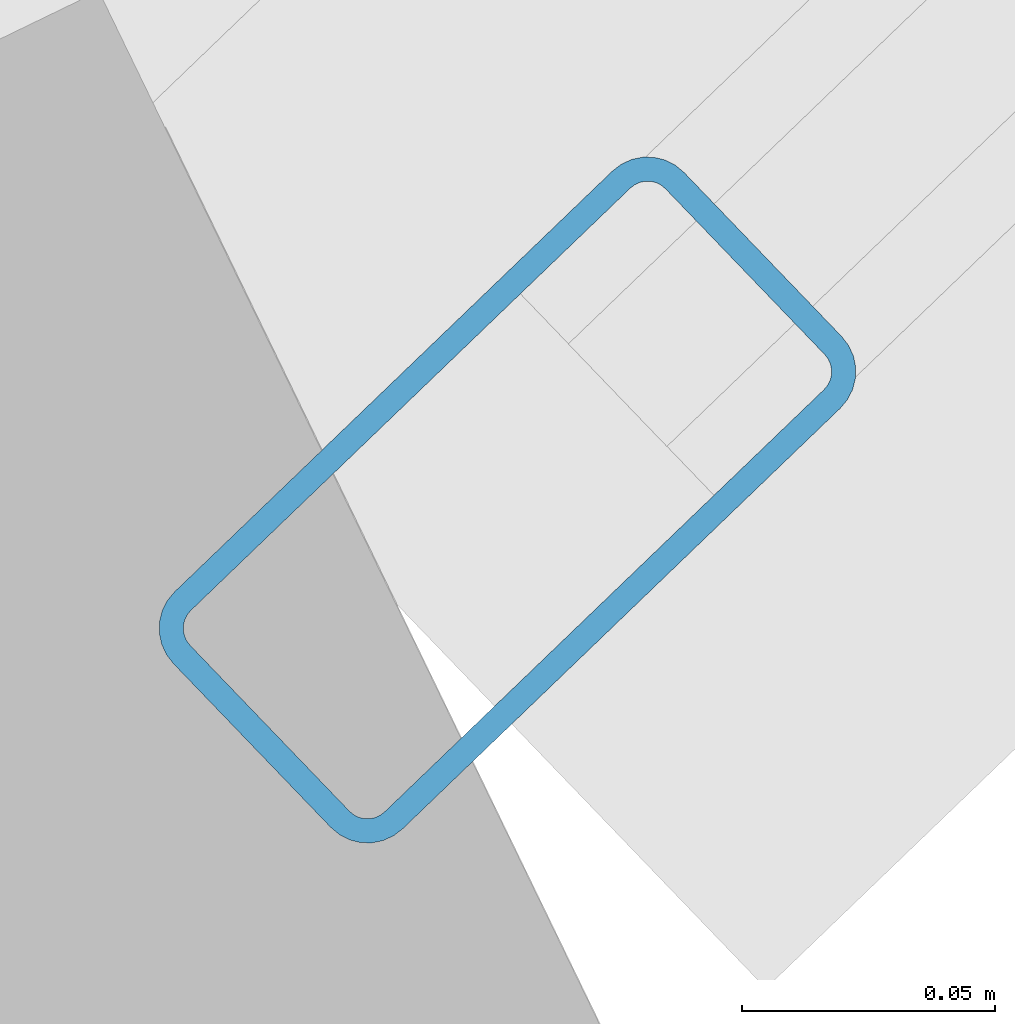
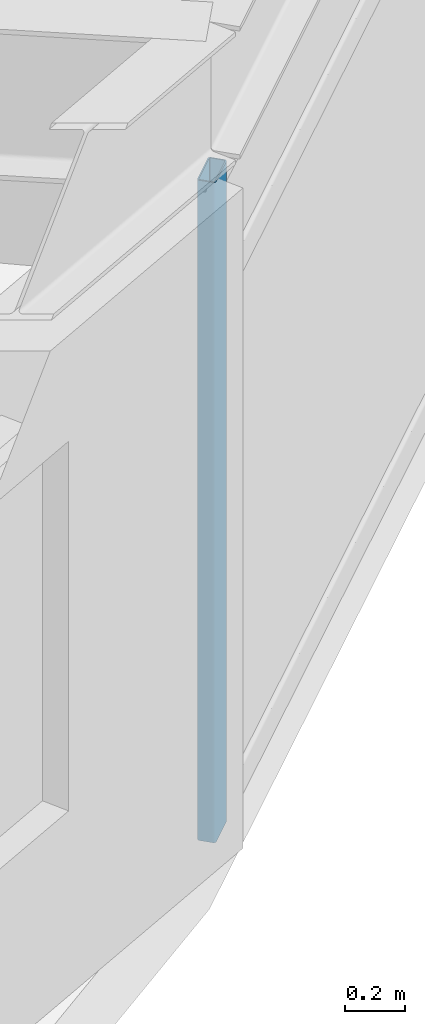
# One storey, part 6 of 26: 1 member, 1 element without a shape of its own.
"""IFC4 building model written with IfcOpenShell, lengths in metres."""

from ifc_helpers import new_model, si_unit, direction, frame, origin, origin_2d, place, context, subcontext, project, spatial, hollow_rectangle, extrude, material, layer, layer_set, material_profile, profile_set, type_object, element, aggregate, save


model = new_model("IFC4")

# Units and contexts
model_context = context("Model", 3, precision=1e-05, world=origin(), true_north=direction((0.0, 1.0)))
body_context = subcontext(model_context, "Body", "Model", "MODEL_VIEW")
ifc_project = project(units=[si_unit("LENGTHUNIT", "METRE"), si_unit("AREAUNIT", "SQUARE_METRE"), si_unit("VOLUMEUNIT", "CUBIC_METRE"), si_unit("PLANEANGLEUNIT", "RADIAN"), si_unit("MASSUNIT", "GRAM", prefix="KILO")], contexts=[model_context])

# Site, building, storey
site_placement = place(None, origin())
site = spatial("IfcSite", under=ifc_project, at=site_placement, CompositionType="ELEMENT")
building_placement = place(site_placement, origin())
building = spatial("IfcBuilding", under=site, at=building_placement, Name="Soratama Intermodal Tower", CompositionType="ELEMENT")
storey_placement = place(building_placement, frame((0.0, 0.0, 194.199951171875)))
storey = spatial("IfcBuildingStorey", under=building, at=storey_placement, Name="L48", CompositionType="ELEMENT", Elevation=194.199951171875)

# Curtain wall, member
ifc_material_1 = material(Name="Double-glazed aluminium curtain wall", Category="aluminium")
ifc_layer = layer(ifc_material_1, 0.159912109375)
ifc_layer_set = layer_set([ifc_layer], Name="Double-glazed aluminium curtain wall")
curtain_wall_type = type_object("IfcCurtainWallType", Name="CW-SYS-5", PredefinedType="NOTDEFINED", material=ifc_layer_set)
curtain_wall_placement = place(storey_placement, origin())
curtain_wall = element("IfcCurtainWall", 1, at=curtain_wall_placement, inside=storey, type_object=curtain_wall_type, Name="L48 Faceted Curtain Wall F08", PredefinedType="NOTDEFINED")
ifc_material_2 = material(Name="Anodised aluminium AA 6063-T6", Category="aluminium")
ifc_material_profile = material_profile(ifc_material_2, hollow_rectangle(XDim=0.06494140625, YDim=0.139892578125, WallThickness=0.0048828125, InnerFilletRadius=0.0048828125, OuterFilletRadius=0.010009765625, at=origin_2d()), Name="CWM140X65X5")
ifc_profile_set = profile_set([ifc_material_profile], Name="Anodised aluminium AA 6063-T6")
member_type = type_object("IfcMemberType", Name="MT-CWM-5", PredefinedType="MULLION", material=ifc_profile_set)
member_placement = place(storey_placement, frame((55.03173828125, 7.769775390625, 0.0), z_axis=(0.0, 0.0, 1.0), x_axis=(-0.69289789426, 0.721035719039, 0.0)))
member = element("IfcMember", 2, at=member_placement, type_object=member_type, Name="CW-5 mullion 1", PredefinedType="MULLION", context=body_context, shape_type="SweptSolid", body=[
    extrude(hollow_rectangle(XDim=0.06494140625, YDim=0.139892578125, WallThickness=0.0048828125, InnerFilletRadius=0.0048828125, OuterFilletRadius=0.010009765625, at=origin_2d()), origin(), (0.0, 0.0, 1.0), 2.678955078125),
])
aggregate(curtain_wall, [member])

save(model, "model.ifc")
